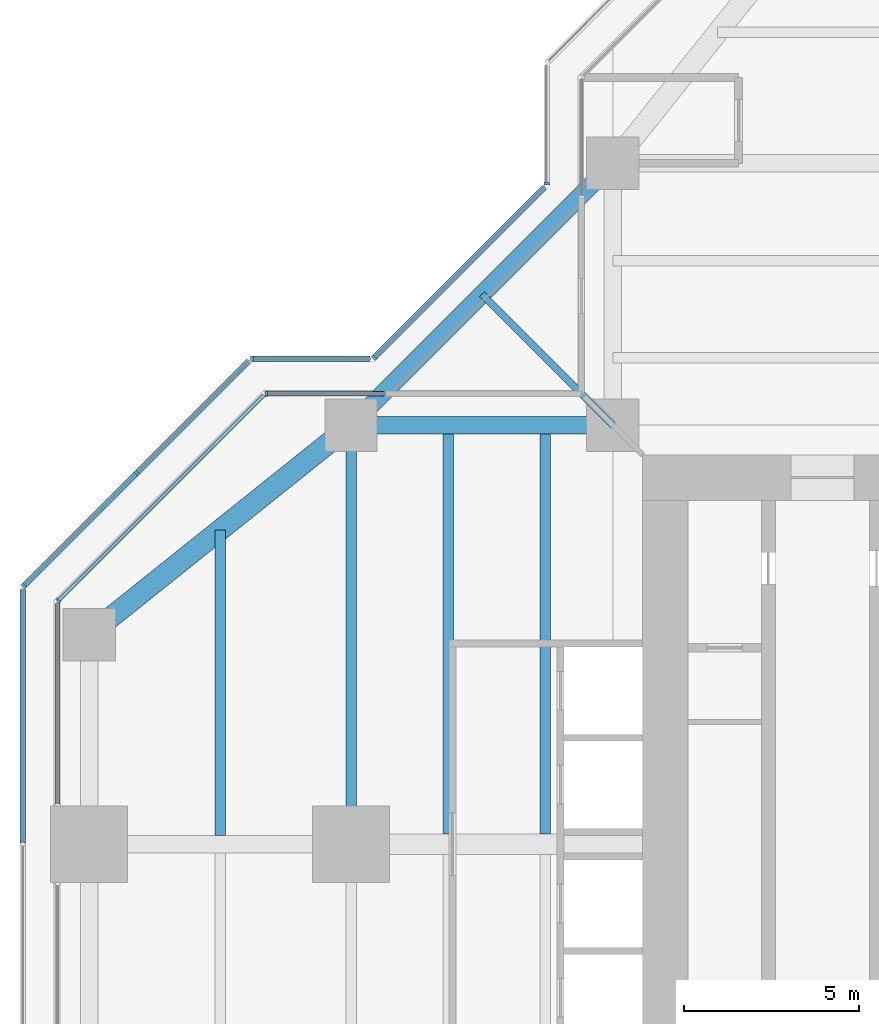
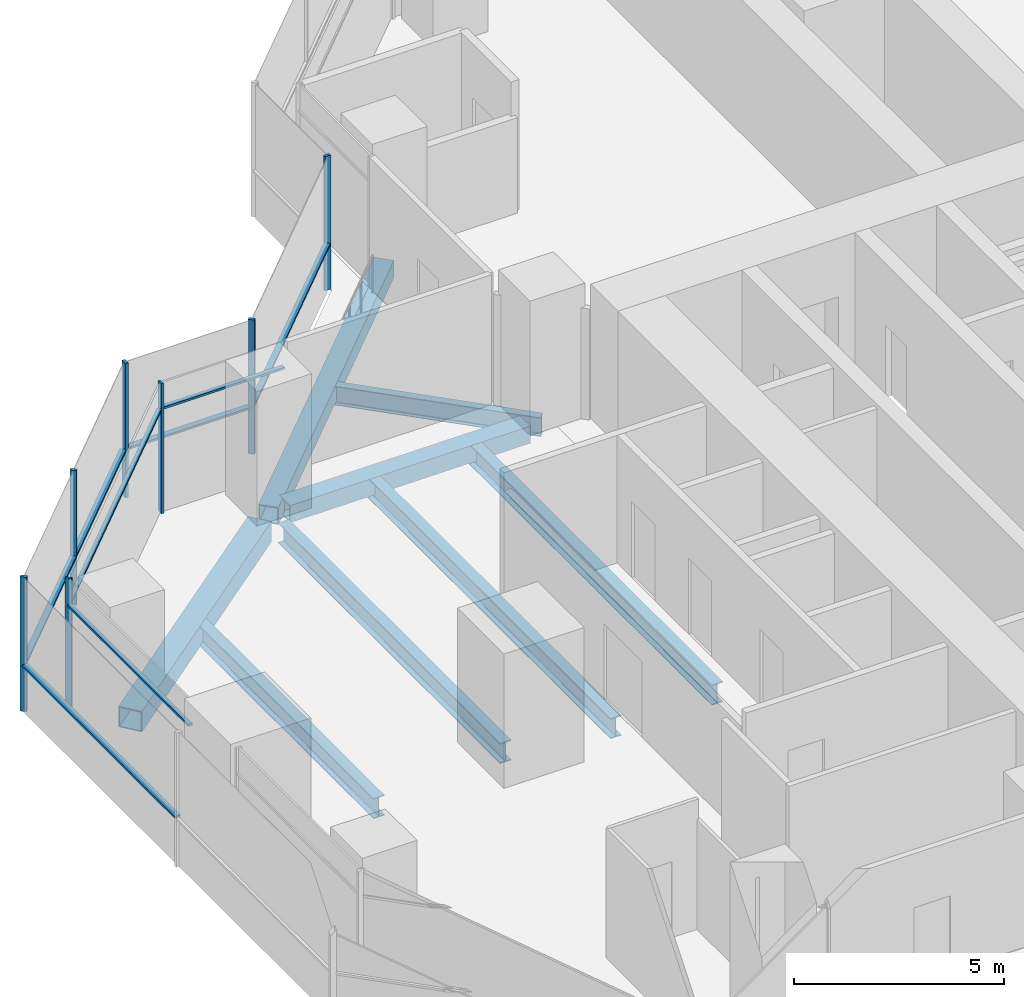
# One storey, part 6 of 17: 15 members, 8 beams, 8 elements without a shape of their own.
"""IFC4 building model written with IfcOpenShell, lengths in metres."""

from ifc_helpers import new_model, si_unit, direction, frame, origin, origin_2d, place, context, subcontext, project, spatial, rectangle, hollow_rectangle, i_section, extrude, material, material_profile, profile_set, type_object, element, aggregate, save


model = new_model("IFC4")

# Units and contexts
model_context = context("Model", 3, precision=1e-05, world=origin(), true_north=direction((0.0, 1.0)))
body_context = subcontext(model_context, "Body", "Model", "MODEL_VIEW")
ifc_project = project(units=[si_unit("LENGTHUNIT", "METRE"), si_unit("AREAUNIT", "SQUARE_METRE"), si_unit("VOLUMEUNIT", "CUBIC_METRE"), si_unit("PLANEANGLEUNIT", "RADIAN"), si_unit("MASSUNIT", "GRAM", prefix="KILO")], contexts=[model_context])

# Site, building, storey
site_placement = place(None, origin())
site = spatial("IfcSite", under=ifc_project, at=site_placement, CompositionType="ELEMENT")
building_placement = place(site_placement, origin())
building = spatial("IfcBuilding", under=site, at=building_placement, Name="Mizan Broadcast Tower", CompositionType="ELEMENT")
storey_placement = place(building_placement, frame((0.0, 0.0, 251.699951171875)))
storey = spatial("IfcBuildingStorey", under=building, at=storey_placement, Name="L59", CompositionType="ELEMENT", Elevation=251.699951171875)

# Beams
ifc_material_1 = material(Name="Steel S355", Category="steel")
ifc_material_profile_1 = material_profile(ifc_material_1, hollow_rectangle(XDim=0.5, YDim=0.5, WallThickness=0.030029296875, at=origin_2d()), Name="BOX 500x500x30")
ifc_profile_set_1 = profile_set([ifc_material_profile_1], Name="Steel S355")
beam_type_1 = type_object("IfcBeamType", Name="EDGE BEAM BOX 500x500x30", PredefinedType="SPANDREL", material=ifc_profile_set_1)
beam_1_placement = place(storey_placement, frame((-12.449951171875, 12.0, -0.3798828125), z_axis=(-1.0, 0.0, 0.0), x_axis=(0.0, -1.0, 0.0)))
element("IfcBeam", 1, at=beam_1_placement, inside=storey, type_object=beam_type_1, Name="Edge beam BOX 500x500x30 L59 west arm", PredefinedType="SPANDREL", context=body_context, shape_type="SweptSolid", body=[
    extrude(hollow_rectangle(XDim=0.5, YDim=0.5, WallThickness=0.030029296875, at=origin_2d()), origin(), (0.0, 0.0, 1.0), 6.60009765625),
])
beam_2_placement = place(storey_placement, frame((-12.0, 19.5, -0.3798828125), z_axis=(-0.707106781187, -0.707106781187, 0.0), x_axis=(0.707106781187, -0.707106781187, 0.0)))
element("IfcBeam", 2, at=beam_2_placement, inside=storey, type_object=beam_type_1, Name="Winter garden edge beam L59 N", PredefinedType="SPANDREL", context=body_context, shape_type="SweptSolid", body=[
    extrude(hollow_rectangle(XDim=0.5, YDim=0.5, WallThickness=0.030029296875, at=origin_2d()), origin(), (0.0, 0.0, 1.0), 10.606689453125),
])
ifc_material_2 = material(Name="Steel S355", Category="steel")
ifc_material_profile_2 = material_profile(ifc_material_2, hollow_rectangle(XDim=0.60009765625, YDim=0.60009765625, WallThickness=0.030029296875, at=origin_2d()), Name="BOX 600x600x30")
ifc_profile_set_2 = profile_set([ifc_material_profile_2], Name="Steel S355")
beam_type_2 = type_object("IfcBeamType", Name="EDGE BEAM BOX 600x600x30", PredefinedType="SPANDREL", material=ifc_profile_set_2)
beam_3_placement = place(storey_placement, frame((-19.949951171875, 11.639892578125, -0.429931640625), z_axis=(-0.780885717636, -0.624673911726, 0.0), x_axis=(0.624673911726, -0.780885717636, 0.0)))
element("IfcBeam", 3, at=beam_3_placement, inside=storey, type_object=beam_type_2, Name="Edge beam BOX 600x600x30 L59 west arm", PredefinedType="SPANDREL", context=body_context, shape_type="SweptSolid", body=[
    extrude(hollow_rectangle(XDim=0.60009765625, YDim=0.60009765625, WallThickness=0.030029296875, at=origin_2d()), origin(), (0.0, 0.0, 1.0), 8.4521484375),
])
ifc_material_3 = material(Name="Steel S355", Category="steel")
ifc_material_profile_3 = material_profile(ifc_material_3, i_section(OverallWidth=0.300048828125, OverallDepth=0.590087890625, WebThickness=0.012939453125, FlangeThickness=0.02490234375, FilletRadius=0.027099609375, at=origin_2d()), Name="HEA 600")
ifc_profile_set_3 = profile_set([ifc_material_profile_3], Name="Steel S355")
beam_type_3 = type_object("IfcBeamType", Name="GIRDER HEA 600", PredefinedType="BEAM", material=ifc_profile_set_3)
beam_4_placement = place(storey_placement, frame((-19.5, 11.280029296875, -0.425048828125), z_axis=(0.0, -1.0, 0.0), x_axis=(1.0, 0.0, 0.0)))
element("IfcBeam", 4, at=beam_4_placement, inside=storey, type_object=beam_type_3, Name="Girder HEA 600 L59 west arm", PredefinedType="BEAM", context=body_context, shape_type="SweptSolid", body=[
    extrude(i_section(OverallWidth=0.300048828125, OverallDepth=0.590087890625, WebThickness=0.012939453125, FlangeThickness=0.02490234375, FilletRadius=0.027099609375, at=origin_2d()), origin(), (0.0, 0.0, 1.0), 10.56005859375),
])

# Curtain wall, member
ifc_material_4 = material(Name="Aluminium framed glazing", Category="aluminium")
curtain_wall_type_1 = type_object("IfcCurtainWallType", Name="INNER SKIN HIGH ZONE", PredefinedType="USERDEFINED", material=ifc_material_4)
curtain_wall_1_placement = place(storey_placement, origin())
curtain_wall_1 = element("IfcCurtainWall", 5, at=curtain_wall_1_placement, inside=storey, type_object=curtain_wall_type_1, Name="Inner skin high zone L59 W side", ObjectType="INNER SKIN HIGH ZONE", PredefinedType="USERDEFINED")
ifc_material_5 = material(Name="Aluminium, pale anodised", Category="aluminium")
ifc_material_profile_4 = material_profile(ifc_material_5, rectangle(XDim=0.159912109375, YDim=0.06005859375, at=origin_2d()), Name="MULLION 160x60")
ifc_profile_set_4 = profile_set([ifc_material_profile_4], Name="Aluminium, pale anodised")
member_type_1 = type_object("IfcMemberType", Name="INNER SKIN MULLION 60x160", PredefinedType="MULLION", material=ifc_profile_set_4)
member_1_placement = place(storey_placement, frame((-21.928466796875, 12.89990234375, 0.0), z_axis=(0.0, 0.0, 1.0), x_axis=(0.0, -1.0, 0.0)))
member_1 = element("IfcMember", 6, at=member_1_placement, type_object=member_type_1, Name="Inner skin high zone L59 W side mullion 2", PredefinedType="MULLION", context=body_context, shape_type="SweptSolid", body=[
    extrude(rectangle(XDim=0.159912109375, YDim=0.06005859375, at=origin_2d()), origin(), (0.0, 0.0, 1.0), 3.77001953125),
])

curtain_wall_2_placement = place(storey_placement, origin())
curtain_wall_2 = element("IfcCurtainWall", 7, at=curtain_wall_2_placement, inside=storey, type_object=curtain_wall_type_1, Name="Inner skin high zone L59 W chamfer", ObjectType="INNER SKIN HIGH ZONE", PredefinedType="USERDEFINED")
member_2_placement = place(storey_placement, frame((-27.87890625, 6.979736328125, 0.0), z_axis=(0.0, 0.0, 1.0), x_axis=(0.707106781187, -0.707106781187, 0.0)))
member_2 = element("IfcMember", 8, at=member_2_placement, type_object=member_type_1, Name="Inner skin high zone L59 W chamfer mullion 2", PredefinedType="MULLION", context=body_context, shape_type="SweptSolid", body=[
    extrude(rectangle(XDim=0.159912109375, YDim=0.06005859375, at=origin_2d()), origin(), (0.0, 0.0, 1.0), 3.77001953125),
])

# Member
ifc_material_6 = material(Name="Aluminium, pale anodised", Category="aluminium")
ifc_material_profile_5 = material_profile(ifc_material_6, rectangle(XDim=0.1201171875, YDim=0.06005859375, at=origin_2d()), Name="TRANSOM 120x60")
ifc_profile_set_5 = profile_set([ifc_material_profile_5], Name="Aluminium, pale anodised")
member_type_2 = type_object("IfcMemberType", Name="INNER SKIN TRANSOM 60x120", PredefinedType="USERDEFINED", material=ifc_profile_set_5)
member_3_placement = place(storey_placement, frame((-18.56005859375, 12.89990234375, 3.030029296875), z_axis=(-1.0, 0.0, 0.0), x_axis=(0.0, -1.0, 0.0)))
member_3 = element("IfcMember", 9, at=member_3_placement, type_object=member_type_2, Name="Inner skin high zone L59 W side transom 1.1", ObjectType="TRANSOM", PredefinedType="USERDEFINED", context=body_context, shape_type="SweptSolid", body=[
    extrude(rectangle(XDim=0.1201171875, YDim=0.06005859375, at=origin_2d()), origin(), (0.0, 0.0, 1.0), 3.338623046875),
])

aggregate(curtain_wall_1, [member_1, member_3])

member_4_placement = place(storey_placement, frame((-22.0009765625, 12.857666015625, 3.030029296875), z_axis=(-0.707106781187, -0.707106781187, 0.0), x_axis=(0.707106781187, -0.707106781187, 0.0)))
member_4 = element("IfcMember", 10, at=member_4_placement, type_object=member_type_2, Name="Inner skin high zone L59 W chamfer transom 1.1", ObjectType="TRANSOM", PredefinedType="USERDEFINED", context=body_context, shape_type="SweptSolid", body=[
    extrude(rectangle(XDim=0.1201171875, YDim=0.06005859375, at=origin_2d()), origin(), (0.0, 0.0, 1.0), 8.28271484375),
])

aggregate(curtain_wall_2, [member_2, member_4])

# Curtain wall, member
curtain_wall_3_placement = place(storey_placement, origin())
curtain_wall_3 = element("IfcCurtainWall", 11, at=curtain_wall_3_placement, inside=storey, type_object=curtain_wall_type_1, Name="Inner skin high zone L59 W end", ObjectType="INNER SKIN HIGH ZONE", PredefinedType="USERDEFINED")
member_5_placement = place(storey_placement, frame((-27.89990234375, 6.898681640625, 3.030029296875), z_axis=(0.0, -1.0, 0.0), x_axis=(1.0, 0.0, 0.0)))
member_5 = element("IfcMember", 12, at=member_5_placement, type_object=member_type_2, Name="Inner skin high zone L59 W end transom 1.1", ObjectType="TRANSOM", PredefinedType="USERDEFINED", context=body_context, shape_type="SweptSolid", body=[
    extrude(rectangle(XDim=0.1201171875, YDim=0.06005859375, at=origin_2d()), origin(), (0.0, 0.0, 1.0), 5.73876953125),
])
aggregate(curtain_wall_3, [member_5])

ifc_material_7 = material(Name="Aluminium framed glazing", Category="aluminium")
curtain_wall_type_2 = type_object("IfcCurtainWallType", Name="OUTER SKIN", PredefinedType="USERDEFINED", material=ifc_material_7)
curtain_wall_4_placement = place(storey_placement, origin())
curtain_wall_4 = element("IfcCurtainWall", 13, at=curtain_wall_4_placement, inside=storey, type_object=curtain_wall_type_2, Name="Outer skin L59 N side", ObjectType="OUTER SKIN", PredefinedType="USERDEFINED")
ifc_material_8 = material(Name="Aluminium, pale anodised", Category="aluminium")
ifc_material_profile_6 = material_profile(ifc_material_8, rectangle(XDim=0.159912109375, YDim=0.080078125, at=origin_2d()), Name="MULLION 160x80")
ifc_profile_set_6 = profile_set([ifc_material_profile_6], Name="Aluminium, pale anodised")
member_type_3 = type_object("IfcMemberType", Name="OUTER SKIN MULLION 80x160", PredefinedType="MULLION", material=ifc_profile_set_6)
member_6_placement = place(storey_placement, frame((-13.89990234375, 18.912841796875, 0.0), z_axis=(0.0, 0.0, 1.0), x_axis=(1.0, 0.0, 0.0)))
member_6 = element("IfcMember", 14, at=member_6_placement, type_object=member_type_3, Name="Outer skin L59 N side mullion 2", PredefinedType="MULLION", context=body_context, shape_type="SweptSolid", body=[
    extrude(rectangle(XDim=0.159912109375, YDim=0.080078125, at=origin_2d()), origin(), (0.0, 0.0, 1.0), 3.900146484375),
])
aggregate(curtain_wall_4, [member_6])

curtain_wall_5_placement = place(storey_placement, origin())
curtain_wall_5 = element("IfcCurtainWall", 15, at=curtain_wall_5_placement, inside=storey, type_object=curtain_wall_type_2, Name="Outer skin L59 W chamfer", ObjectType="OUTER SKIN", PredefinedType="USERDEFINED")
member_7_placement = place(storey_placement, frame((-18.844482421875, 13.92822265625, 0.0), z_axis=(0.0, 0.0, 1.0), x_axis=(0.707106781187, -0.707106781187, 0.0)))
member_7 = element("IfcMember", 16, at=member_7_placement, type_object=member_type_3, Name="Outer skin L59 W chamfer mullion 2", PredefinedType="MULLION", context=body_context, shape_type="SweptSolid", body=[
    extrude(rectangle(XDim=0.159912109375, YDim=0.080078125, at=origin_2d()), origin(), (0.0, 0.0, 1.0), 3.900146484375),
])

curtain_wall_6_placement = place(storey_placement, origin())
curtain_wall_6 = element("IfcCurtainWall", 17, at=curtain_wall_6_placement, inside=storey, type_object=curtain_wall_type_2, Name="Outer skin L59 W side", ObjectType="OUTER SKIN", PredefinedType="USERDEFINED")
member_8_placement = place(storey_placement, frame((-22.332763671875, 13.89990234375, 0.0), z_axis=(0.0, 0.0, 1.0), x_axis=(0.0, -1.0, 0.0)))
member_8 = element("IfcMember", 18, at=member_8_placement, type_object=member_type_3, Name="Outer skin L59 W side mullion 2", PredefinedType="MULLION", context=body_context, shape_type="SweptSolid", body=[
    extrude(rectangle(XDim=0.159912109375, YDim=0.080078125, at=origin_2d()), origin(), (0.0, 0.0, 1.0), 3.900146484375),
])

# Curtain wall, members
curtain_wall_7_placement = place(storey_placement, origin())
curtain_wall_7 = element("IfcCurtainWall", 19, at=curtain_wall_7_placement, inside=storey, type_object=curtain_wall_type_2, Name="Outer skin L59 W chamfer", ObjectType="OUTER SKIN", PredefinedType="USERDEFINED")
member_9_placement = place(storey_placement, frame((-25.636474609375, 10.636474609375, 0.0), z_axis=(0.0, 0.0, 1.0), x_axis=(0.707106781187, -0.707106781187, 0.0)))
member_9 = element("IfcMember", 20, at=member_9_placement, type_object=member_type_3, Name="Outer skin L59 W chamfer mullion 2", PredefinedType="MULLION", context=body_context, shape_type="SweptSolid", body=[
    extrude(rectangle(XDim=0.159912109375, YDim=0.080078125, at=origin_2d()), origin(), (0.0, 0.0, 1.0), 3.900146484375),
])
member_10_placement = place(storey_placement, frame((-28.871826171875, 7.401123046875, 0.0), z_axis=(0.0, 0.0, 1.0), x_axis=(0.707106781187, -0.707106781187, 0.0)))
member_10 = element("IfcMember", 21, at=member_10_placement, type_object=member_type_3, Name="Outer skin L59 W chamfer mullion 3", PredefinedType="MULLION", context=body_context, shape_type="SweptSolid", body=[
    extrude(rectangle(XDim=0.159912109375, YDim=0.080078125, at=origin_2d()), origin(), (0.0, 0.0, 1.0), 3.900146484375),
])

# Member
ifc_material_9 = material(Name="Aluminium, pale anodised", Category="aluminium")
ifc_material_profile_7 = material_profile(ifc_material_9, rectangle(XDim=0.159912109375, YDim=0.06005859375, at=origin_2d()), Name="TRANSOM 160x60")
ifc_profile_set_7 = profile_set([ifc_material_profile_7], Name="Aluminium, pale anodised")
member_type_4 = type_object("IfcMemberType", Name="OUTER SKIN TRANSOM 60x160", PredefinedType="USERDEFINED", material=ifc_profile_set_7)
member_11_placement = place(storey_placement, frame((-13.95654296875, 18.816162109375, 1.400146484375), z_axis=(-0.707106781187, -0.707106781187, 0.0), x_axis=(0.707106781187, -0.707106781187, 0.0)))
member_11 = element("IfcMember", 22, at=member_11_placement, type_object=member_type_4, Name="Outer skin L59 W chamfer transom 1.1", ObjectType="TRANSOM", PredefinedType="USERDEFINED", context=body_context, shape_type="SweptSolid", body=[
    extrude(rectangle(XDim=0.159912109375, YDim=0.06005859375, at=origin_2d()), origin(), (0.0, 0.0, 1.0), 6.87255859375),
])

aggregate(curtain_wall_5, [member_7, member_11])

member_12_placement = place(storey_placement, frame((-18.952880859375, 13.89990234375, 1.400146484375), z_axis=(-1.0, 0.0, 0.0), x_axis=(0.0, -1.0, 0.0)))
member_12 = element("IfcMember", 23, at=member_12_placement, type_object=member_type_4, Name="Outer skin L59 W side transom 1.1", ObjectType="TRANSOM", PredefinedType="USERDEFINED", context=body_context, shape_type="SweptSolid", body=[
    extrude(rectangle(XDim=0.159912109375, YDim=0.06005859375, at=origin_2d()), origin(), (0.0, 0.0, 1.0), 3.33984375),
])

aggregate(curtain_wall_6, [member_8, member_12])

member_13_placement = place(storey_placement, frame((-22.429443359375, 13.843505859375, 1.400146484375), z_axis=(-0.707106781187, -0.707106781187, 0.0), x_axis=(0.707106781187, -0.707106781187, 0.0)))
member_13 = element("IfcMember", 24, at=member_13_placement, type_object=member_type_4, Name="Outer skin L59 W chamfer transom 1.1", ObjectType="TRANSOM", PredefinedType="USERDEFINED", context=body_context, shape_type="SweptSolid", body=[
    extrude(rectangle(XDim=0.159912109375, YDim=0.06005859375, at=origin_2d()), origin(), (0.0, 0.0, 1.0), 4.495361328125),
])

member_14_placement = place(storey_placement, frame((-25.664794921875, 10.608154296875, 1.400146484375), z_axis=(-0.707106781187, -0.707106781187, 0.0), x_axis=(0.707106781187, -0.707106781187, 0.0)))
member_14 = element("IfcMember", 25, at=member_14_placement, type_object=member_type_4, Name="Outer skin L59 W chamfer transom 2.1", ObjectType="TRANSOM", PredefinedType="USERDEFINED", context=body_context, shape_type="SweptSolid", body=[
    extrude(rectangle(XDim=0.159912109375, YDim=0.06005859375, at=origin_2d()), origin(), (0.0, 0.0, 1.0), 4.495361328125),
])

aggregate(curtain_wall_7, [member_9, member_10, member_13, member_14])

# Curtain wall, member
curtain_wall_8_placement = place(storey_placement, origin())
curtain_wall_8 = element("IfcCurtainWall", 26, at=curtain_wall_8_placement, inside=storey, type_object=curtain_wall_type_2, Name="Outer skin L59 W end", ObjectType="OUTER SKIN", PredefinedType="USERDEFINED")
member_15_placement = place(storey_placement, frame((-28.89990234375, 7.292724609375, 1.400146484375), z_axis=(0.0, -1.0, 0.0), x_axis=(1.0, 0.0, 0.0)))
member_15 = element("IfcMember", 27, at=member_15_placement, type_object=member_type_4, Name="Outer skin L59 W end transom 1.1", ObjectType="TRANSOM", PredefinedType="USERDEFINED", context=body_context, shape_type="SweptSolid", body=[
    extrude(rectangle(XDim=0.159912109375, YDim=0.06005859375, at=origin_2d()), origin(), (0.0, 0.0, 1.0), 7.252685546875),
])
aggregate(curtain_wall_8, [member_15])

# Beams
ifc_material_10 = material(Name="Steel S355", Category="steel")
ifc_material_profile_8 = material_profile(ifc_material_10, i_section(OverallWidth=0.300048828125, OverallDepth=0.590087890625, WebThickness=0.012939453125, FlangeThickness=0.02490234375, FilletRadius=0.027099609375, at=origin_2d()), Name="HEA 600")
ifc_profile_set_8 = profile_set([ifc_material_profile_8], Name="Steel S355")
beam_type_4 = type_object("IfcBeamType", Name="SECONDARY BEAM HEA 600", PredefinedType="JOIST", material=ifc_profile_set_8)
for number, where, z_axis, x_axis, name in (
    (28, (-13.933349609375, 12.0, -0.425048828125), (0.0, -1.0, 0.0), (1.0, 0.0, 0.0), "Secondary beam HEA 600 L59 west arm"),
    (29, (-16.716552734375, 12.0, -0.425048828125), (0.0, -1.0, 0.0), (1.0, 0.0, 0.0), "Secondary beam HEA 600 L59 west arm"),
):
    element("IfcBeam", number, at=place(storey_placement, frame(where, z_axis=z_axis, x_axis=x_axis)), inside=storey, type_object=beam_type_4, Name=name, PredefinedType="JOIST", context=body_context, shape_type="SweptSolid", body=[
        extrude(i_section(OverallWidth=0.300048828125, OverallDepth=0.590087890625, WebThickness=0.012939453125, FlangeThickness=0.02490234375, FilletRadius=0.027099609375, at=origin_2d()), origin(), (0.0, 0.0, 1.0), 11.699951171875),
    ])
beam_5_placement = place(storey_placement, frame((-23.25, 9.0, -0.425048828125), z_axis=(0.0, -1.0, 0.0), x_axis=(1.0, 0.0, 0.0)))
element("IfcBeam", 30, at=beam_5_placement, inside=storey, type_object=beam_type_4, Name="Secondary beam HEA 600 L59 west arm", PredefinedType="JOIST", context=body_context, shape_type="SweptSolid", body=[
    extrude(i_section(OverallWidth=0.300048828125, OverallDepth=0.590087890625, WebThickness=0.012939453125, FlangeThickness=0.02490234375, FilletRadius=0.027099609375, at=origin_2d()), origin(), (0.0, 0.0, 1.0), 8.75),
])
ifc_material_11 = material(Name="Steel S355", Category="steel")
ifc_material_profile_9 = material_profile(ifc_material_11, i_section(OverallWidth=0.2099609375, OverallDepth=0.550048828125, WebThickness=0.010986328125, FlangeThickness=0.01708984375, FilletRadius=0.02392578125, at=origin_2d()), Name="IPE 550")
ifc_profile_set_9 = profile_set([ifc_material_profile_9], Name="Steel S355")
beam_type_5 = type_object("IfcBeamType", Name="SECONDARY BEAM IPE 550", PredefinedType="JOIST", material=ifc_profile_set_9)
beam_6_placement = place(storey_placement, frame((-12.0, 12.0, -0.405029296875), z_axis=(-0.707106781187, 0.707106781187, 0.0), x_axis=(-0.707106781187, -0.707106781187, 0.0)))
element("IfcBeam", 31, at=beam_6_placement, inside=storey, type_object=beam_type_5, Name="Winter garden beam L59 N", PredefinedType="JOIST", context=body_context, shape_type="SweptSolid", body=[
    extrude(i_section(OverallWidth=0.2099609375, OverallDepth=0.550048828125, WebThickness=0.010986328125, FlangeThickness=0.01708984375, FilletRadius=0.02392578125, at=origin_2d()), origin(), (0.0, 0.0, 1.0), 5.30322265625),
])

save(model, "model.ifc")
